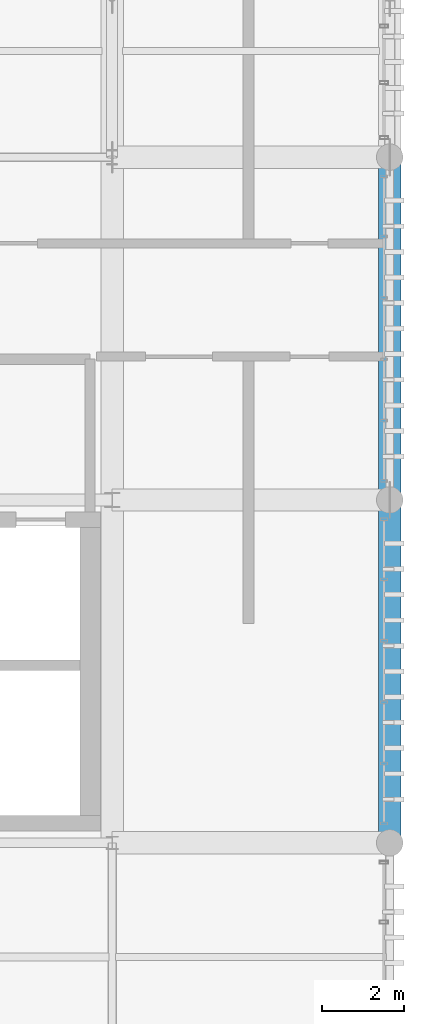
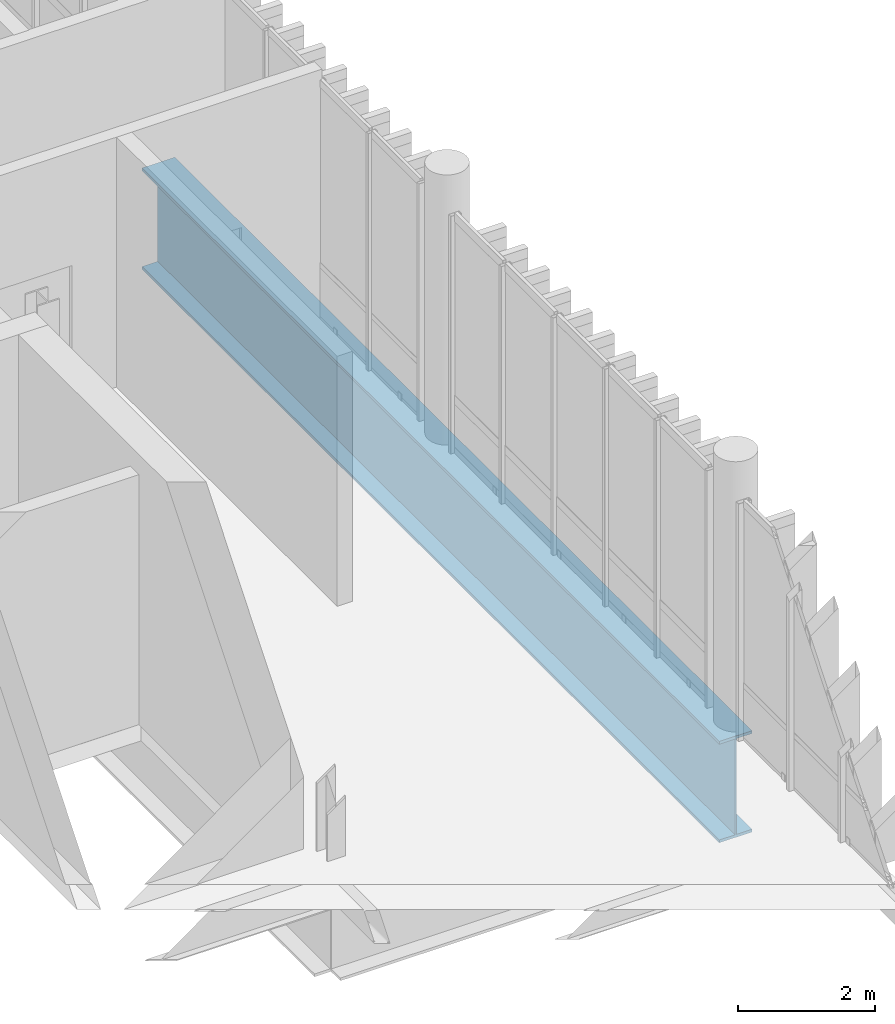
# One storey, part 52 of 81: 1 beam.
"""IFC4 building model written with IfcOpenShell, lengths in metres."""

from ifc_helpers import new_model, si_unit, direction, frame, origin_with_axes, origin_2d_with_axis, place, context, subcontext, project, spatial, i_section, extrude, material, material_profile, profile_set, type_object, element, save


model = new_model("IFC4")

# Units and contexts
model_context = context("Model", 3, precision=1e-05, world=origin_with_axes(), true_north=direction((0.0, 1.0)))
body_context = subcontext(model_context, "Body", "Model", "MODEL_VIEW")
ifc_project = project(units=[si_unit("LENGTHUNIT", "METRE"), si_unit("AREAUNIT", "SQUARE_METRE"), si_unit("VOLUMEUNIT", "CUBIC_METRE"), si_unit("PLANEANGLEUNIT", "RADIAN"), si_unit("MASSUNIT", "GRAM", prefix="KILO"), si_unit("THERMODYNAMICTEMPERATUREUNIT", "KELVIN")], contexts=[model_context])

# Site, building, storey
site_placement = place(None, origin_with_axes())
site = spatial("IfcSite", under=ifc_project, at=site_placement, CompositionType="ELEMENT")
building_placement = place(site_placement, origin_with_axes())
building = spatial("IfcBuilding", under=site, at=building_placement, Name="Montbau Bow Law Courts", CompositionType="ELEMENT")
storey_placement = place(building_placement, frame((0.0, 0.0, 24.9), z_axis=(0.0, 0.0, 1.0), x_axis=(1.0, 0.0, 0.0)))
storey = spatial("IfcBuildingStorey", under=building, at=storey_placement, Name="L05", CompositionType="ELEMENT", Elevation=24.9)

# Beam
ifc_material = material(Name="Steel CSA G40.21 Grade 350WT (350 MPa)", Category="steel")
ifc_material_profile = material_profile(ifc_material, i_section(OverallWidth=0.55, OverallDepth=1.8, WebThickness=0.022, FlangeThickness=0.05, at=origin_2d_with_axis()), Name="WWF1800X550", Category="Main", Priority=0)
ifc_profile_set = profile_set([ifc_material_profile], Name="Steel CSA G40.21 Grade 350WT (350 MPa)")
beam_type = type_object("IfcBeamType", Name="B-TRG-01", PredefinedType="USERDEFINED", material=ifc_profile_set)
beam_placement = place(None, frame((169.4, 86.4, 23.7), z_axis=(0.0, 1.0, 0.0), x_axis=(-1.0, 0.0, 0.0)))
element("IfcBeam", 1, at=beam_placement, inside=storey, type_object=beam_type, Name="TRG-L05-S0084:bm2_0087", ObjectType="GIRDER", PredefinedType="USERDEFINED", context=body_context, shape_type="SweptSolid", body=[
    extrude(i_section(OverallWidth=0.55, OverallDepth=1.8, WebThickness=0.022, FlangeThickness=0.05, at=origin_2d_with_axis()), origin_with_axes(), (0.0, 0.0, 1.0), 16.8),
])

save(model, "model.ifc")
